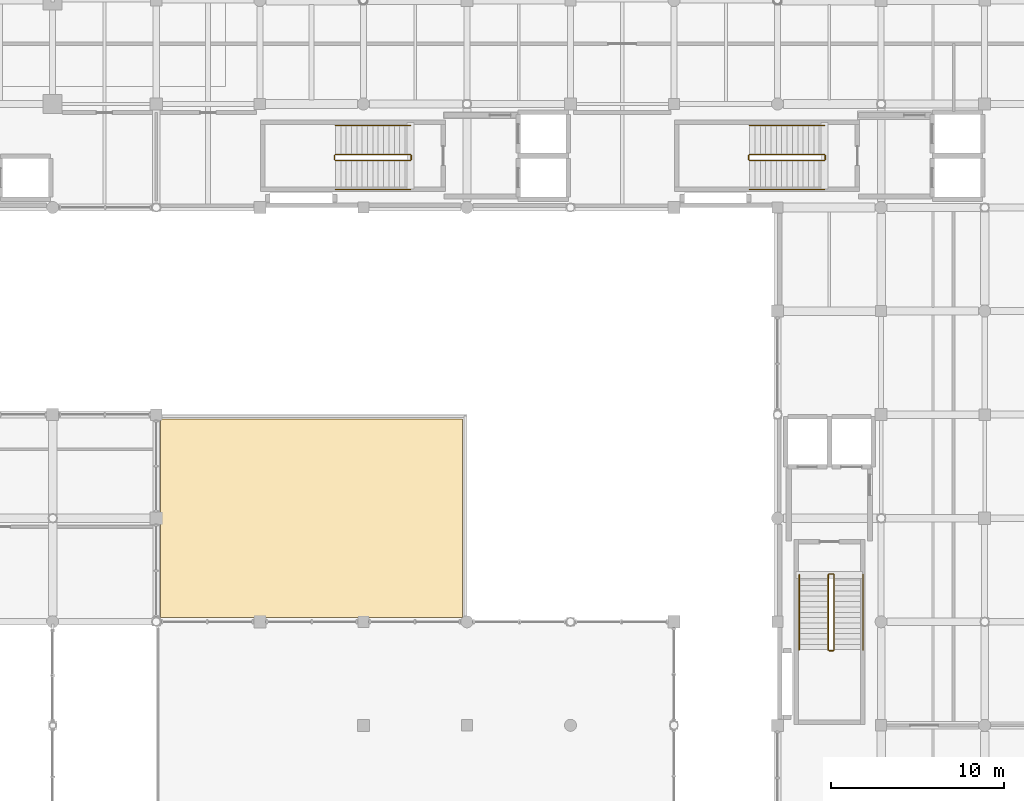
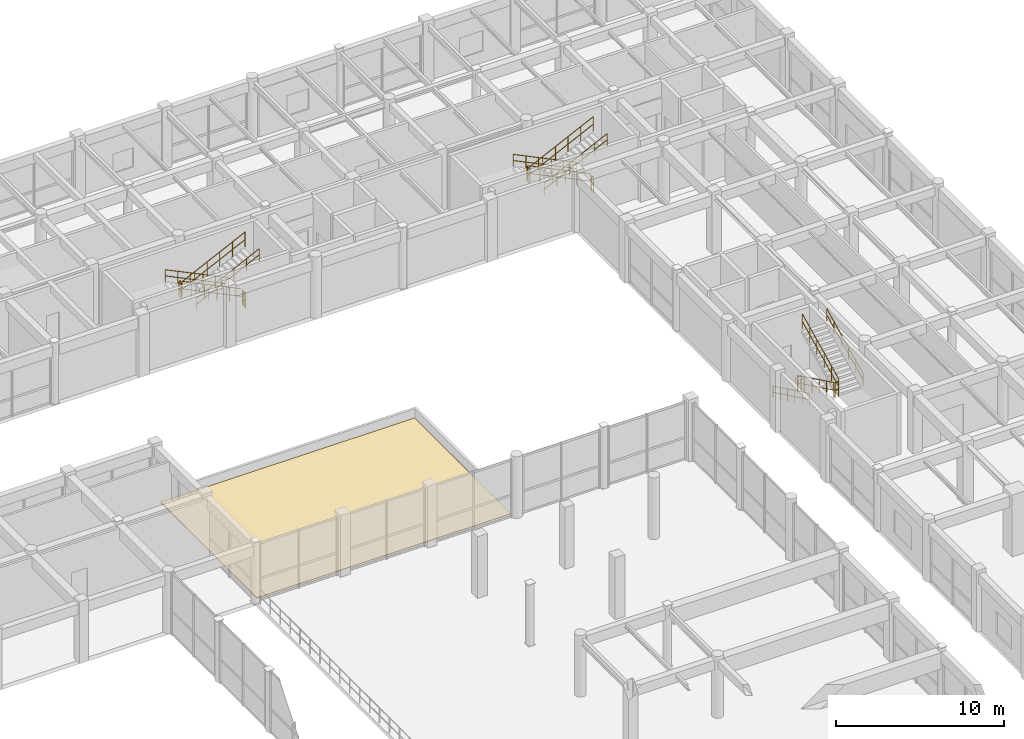
# One storey, part 116 of 116: 18 railings, 1 covering.
"""IFC4 building model written with IfcOpenShell, lengths in metres."""

from ifc_helpers import new_model, si_unit, direction, frame, origin, origin_2d, place, context, subcontext, project, spatial, polyline, circle, outline, extrude, material, layer, layer_set, type_object, element, save


model = new_model("IFC4")

# Units and contexts
model_context = context("Model", 3, precision=1e-05, world=origin(), true_north=direction((0.0, 1.0)))
body_context = subcontext(model_context, "Body", "Model", "MODEL_VIEW")
ifc_project = project(units=[si_unit("LENGTHUNIT", "METRE"), si_unit("AREAUNIT", "SQUARE_METRE"), si_unit("VOLUMEUNIT", "CUBIC_METRE"), si_unit("PLANEANGLEUNIT", "RADIAN"), si_unit("MASSUNIT", "GRAM", prefix="KILO"), si_unit("THERMODYNAMICTEMPERATUREUNIT", "KELVIN"), si_unit("POWERUNIT", "WATT")], contexts=[model_context])

# Site, building, storey
site_placement = place(None, origin())
site = spatial("IfcSite", under=ifc_project, at=site_placement, CompositionType="ELEMENT")
building_placement = place(site_placement, origin())
building = spatial("IfcBuilding", under=site, at=building_placement, Name="Phaisarnlok Congress Hotel", CompositionType="ELEMENT")
storey_placement = place(building_placement, frame((0.0, 0.0, 10.5)))
storey = spatial("IfcBuildingStorey", under=building, at=storey_placement, Name="L02", CompositionType="ELEMENT", Elevation=10.5)

# Covering
ifc_material_1 = material(Name="TPO Waterproofing Membrane & Rigid PIR Insulation", Category="other")
ifc_layer = layer(ifc_material_1, 0.050048828125, Name="TPO Waterproofing Membrane & Rigid PIR Insulation")
ifc_layer_set = layer_set([ifc_layer], Name="TPO Waterproofing Membrane & Rigid PIR Insulation")
covering_type = type_object("IfcCoveringType", Name="COV-ROOF-MEMB", PredefinedType="ROOFING", material=ifc_layer_set)
covering_placement = place(storey_placement, origin())
element("IfcCovering", 1, at=covering_placement, inside=storey, type_object=covering_type, Name="Podium roof waterproofing membrane RF-01 (L02 pod_press_ne)", PredefinedType="ROOFING", context=body_context, shape_type="SweptSolid", body=[
    extrude(outline(polyline([(126.25, 84.25), (143.75, 84.25), (143.75, 95.75), (126.25, 95.75), (126.25, 84.25)])), origin(), (0.0, 0.0, 1.0), 0.050048828125),
])

# Railings
ifc_material_2 = material(Name="Painted Galvanised Steel S275", Category="steel")
railing_type_1 = type_object("IfcRailingType", Name="RLG-STR-GUARD", PredefinedType="BALUSTRADE", material=ifc_material_2)
railing_1_placement = place(storey_placement, frame((164.719970703125, 111.070068359375, 0.14990234375)))
element("IfcRailing", 2, at=railing_1_placement, inside=storey, type_object=railing_type_1, Name="L02 ST-05 stair guard 1", PredefinedType="BALUSTRADE", context=body_context, shape_type="SweptSolid", body=[
    extrude(circle(Radius=0.02392578125, at=origin_2d()), frame((0.0, 0.0, 1.076171875), z_axis=(-0.900154768424, 0.0, 0.435570192832), x_axis=(0.0, -1.0, 0.0)), (0.0, 0.0, 1.0), 4.821533203125),
    extrude(circle(Radius=0.02392578125, at=origin_2d()), frame((0.0, 0.0, 0.52587890625), z_axis=(-0.900154768424, 0.0, 0.435570192832), x_axis=(0.0, -1.0, 0.0)), (0.0, 0.0, 1.0), 4.821533203125),
    extrude(circle(Radius=0.02099609375, at=origin_2d()), origin(), (0.0, 0.0, 1.0), 1.052001953125),
    extrude(circle(Radius=0.02099609375, at=origin_2d()), frame((-0.867919921875, 0.0, 0.419921875)), (0.0, 0.0, 1.0), 1.052001953125),
    extrude(circle(Radius=0.02099609375, at=origin_2d()), frame((-1.736083984375, 0.0, 0.840087890625)), (0.0, 0.0, 1.0), 1.052001953125),
    extrude(circle(Radius=0.02099609375, at=origin_2d()), frame((-2.60400390625, 0.0, 1.260009765625)), (0.0, 0.0, 1.0), 1.052001953125),
    extrude(circle(Radius=0.02099609375, at=origin_2d()), frame((-3.47216796875, 0.0, 1.68017578125)), (0.0, 0.0, 1.0), 1.052001953125),
    extrude(circle(Radius=0.02099609375, at=origin_2d()), frame((-4.340087890625, 0.0, 2.10009765625)), (0.0, 0.0, 1.0), 1.052001953125),
])
railing_2_placement = place(storey_placement, frame((160.330078125, 111.02001953125, 2.25)))
element("IfcRailing", 3, at=railing_2_placement, inside=storey, type_object=railing_type_1, Name="L02 ST-05 stair guard 2", PredefinedType="BALUSTRADE", context=body_context, shape_type="SweptSolid", body=[
    extrude(circle(Radius=0.02392578125, at=origin_2d()), frame((0.0, 0.0, 1.076171875), z_axis=(0.0, -1.0, 0.0), x_axis=(1.0, 0.0, 0.0)), (0.0, 0.0, 1.0), 0.239990234375),
    extrude(circle(Radius=0.02392578125, at=origin_2d()), frame((0.0, 0.0, 0.52587890625), z_axis=(0.0, -1.0, 0.0), x_axis=(1.0, 0.0, 0.0)), (0.0, 0.0, 1.0), 0.239990234375),
    extrude(circle(Radius=0.02099609375, at=origin_2d()), origin(), (0.0, 0.0, 1.0), 1.052001953125),
    extrude(circle(Radius=0.02099609375, at=origin_2d()), frame((0.0, -0.239990234375, 0.0)), (0.0, 0.0, 1.0), 1.052001953125),
])
railing_3_placement = place(storey_placement, frame((160.3798828125, 110.72998046875, 2.39990234375)))
element("IfcRailing", 4, at=railing_3_placement, inside=storey, type_object=railing_type_1, Name="L02 ST-05 stair guard 3", PredefinedType="BALUSTRADE", context=body_context, shape_type="SweptSolid", body=[
    extrude(circle(Radius=0.02392578125, at=origin_2d()), frame((0.0, 0.0, 1.076171875), z_axis=(0.900154768424, 0.0, 0.435570192832), x_axis=(0.0, 1.0, 0.0)), (0.0, 0.0, 1.0), 4.821533203125),
    extrude(circle(Radius=0.02392578125, at=origin_2d()), frame((0.0, 0.0, 0.52587890625), z_axis=(0.900154768424, 0.0, 0.435570192832), x_axis=(0.0, 1.0, 0.0)), (0.0, 0.0, 1.0), 4.821533203125),
    extrude(circle(Radius=0.02099609375, at=origin_2d()), origin(), (0.0, 0.0, 1.0), 1.052001953125),
    extrude(circle(Radius=0.02099609375, at=origin_2d()), frame((0.867919921875, 0.0, 0.419921875)), (0.0, 0.0, 1.0), 1.052001953125),
    extrude(circle(Radius=0.02099609375, at=origin_2d()), frame((1.736083984375, 0.0, 0.840087890625)), (0.0, 0.0, 1.0), 1.052001953125),
    extrude(circle(Radius=0.02099609375, at=origin_2d()), frame((2.60400390625, 0.0, 1.260009765625)), (0.0, 0.0, 1.0), 1.052001953125),
    extrude(circle(Radius=0.02099609375, at=origin_2d()), frame((3.47216796875, 0.0, 1.68017578125)), (0.0, 0.0, 1.0), 1.052001953125),
    extrude(circle(Radius=0.02099609375, at=origin_2d()), frame((4.340087890625, 0.0, 2.10009765625)), (0.0, 0.0, 1.0), 1.052001953125),
])
railing_4_placement = place(storey_placement, frame((164.77001953125, 111.02001953125, 0.0)))
element("IfcRailing", 5, at=railing_4_placement, inside=storey, type_object=railing_type_1, Name="L02 ST-05 stair guard 4", PredefinedType="BALUSTRADE", context=body_context, shape_type="SweptSolid", body=[
    extrude(circle(Radius=0.02392578125, at=origin_2d()), frame((0.0, 0.0, 1.076171875), z_axis=(0.0, -1.0, 0.0), x_axis=(1.0, 0.0, 0.0)), (0.0, 0.0, 1.0), 0.239990234375),
    extrude(circle(Radius=0.02392578125, at=origin_2d()), frame((0.0, 0.0, 0.52587890625), z_axis=(0.0, -1.0, 0.0), x_axis=(1.0, 0.0, 0.0)), (0.0, 0.0, 1.0), 0.239990234375),
    extrude(circle(Radius=0.02099609375, at=origin_2d()), origin(), (0.0, 0.0, 1.0), 1.052001953125),
    extrude(circle(Radius=0.02099609375, at=origin_2d()), frame((0.0, -0.239990234375, 0.0)), (0.0, 0.0, 1.0), 1.052001953125),
])
railing_5_placement = place(storey_placement, frame((140.719970703125, 111.070068359375, 0.14990234375)))
element("IfcRailing", 6, at=railing_5_placement, inside=storey, type_object=railing_type_1, Name="L02 ST-06 stair guard 1", PredefinedType="BALUSTRADE", context=body_context, shape_type="SweptSolid", body=[
    extrude(circle(Radius=0.02392578125, at=origin_2d()), frame((0.0, 0.0, 1.076171875), z_axis=(-0.900154768424, 0.0, 0.435570192832), x_axis=(0.0, -1.0, 0.0)), (0.0, 0.0, 1.0), 4.821533203125),
    extrude(circle(Radius=0.02392578125, at=origin_2d()), frame((0.0, 0.0, 0.52587890625), z_axis=(-0.900154768424, 0.0, 0.435570192832), x_axis=(0.0, -1.0, 0.0)), (0.0, 0.0, 1.0), 4.821533203125),
    extrude(circle(Radius=0.02099609375, at=origin_2d()), origin(), (0.0, 0.0, 1.0), 1.052001953125),
    extrude(circle(Radius=0.02099609375, at=origin_2d()), frame((-0.867919921875, 0.0, 0.419921875)), (0.0, 0.0, 1.0), 1.052001953125),
    extrude(circle(Radius=0.02099609375, at=origin_2d()), frame((-1.736083984375, 0.0, 0.840087890625)), (0.0, 0.0, 1.0), 1.052001953125),
    extrude(circle(Radius=0.02099609375, at=origin_2d()), frame((-2.60400390625, 0.0, 1.260009765625)), (0.0, 0.0, 1.0), 1.052001953125),
    extrude(circle(Radius=0.02099609375, at=origin_2d()), frame((-3.47216796875, 0.0, 1.68017578125)), (0.0, 0.0, 1.0), 1.052001953125),
    extrude(circle(Radius=0.02099609375, at=origin_2d()), frame((-4.340087890625, 0.0, 2.10009765625)), (0.0, 0.0, 1.0), 1.052001953125),
])
railing_6_placement = place(storey_placement, frame((136.330078125, 111.02001953125, 2.25)))
element("IfcRailing", 7, at=railing_6_placement, inside=storey, type_object=railing_type_1, Name="L02 ST-06 stair guard 2", PredefinedType="BALUSTRADE", context=body_context, shape_type="SweptSolid", body=[
    extrude(circle(Radius=0.02392578125, at=origin_2d()), frame((0.0, 0.0, 1.076171875), z_axis=(0.0, -1.0, 0.0), x_axis=(1.0, 0.0, 0.0)), (0.0, 0.0, 1.0), 0.239990234375),
    extrude(circle(Radius=0.02392578125, at=origin_2d()), frame((0.0, 0.0, 0.52587890625), z_axis=(0.0, -1.0, 0.0), x_axis=(1.0, 0.0, 0.0)), (0.0, 0.0, 1.0), 0.239990234375),
    extrude(circle(Radius=0.02099609375, at=origin_2d()), origin(), (0.0, 0.0, 1.0), 1.052001953125),
    extrude(circle(Radius=0.02099609375, at=origin_2d()), frame((0.0, -0.239990234375, 0.0)), (0.0, 0.0, 1.0), 1.052001953125),
])
railing_7_placement = place(storey_placement, frame((136.3798828125, 110.72998046875, 2.39990234375)))
element("IfcRailing", 8, at=railing_7_placement, inside=storey, type_object=railing_type_1, Name="L02 ST-06 stair guard 3", PredefinedType="BALUSTRADE", context=body_context, shape_type="SweptSolid", body=[
    extrude(circle(Radius=0.02392578125, at=origin_2d()), frame((0.0, 0.0, 1.076171875), z_axis=(0.900154768424, 0.0, 0.435570192832), x_axis=(0.0, 1.0, 0.0)), (0.0, 0.0, 1.0), 4.821533203125),
    extrude(circle(Radius=0.02392578125, at=origin_2d()), frame((0.0, 0.0, 0.52587890625), z_axis=(0.900154768424, 0.0, 0.435570192832), x_axis=(0.0, 1.0, 0.0)), (0.0, 0.0, 1.0), 4.821533203125),
    extrude(circle(Radius=0.02099609375, at=origin_2d()), origin(), (0.0, 0.0, 1.0), 1.052001953125),
    extrude(circle(Radius=0.02099609375, at=origin_2d()), frame((0.867919921875, 0.0, 0.419921875)), (0.0, 0.0, 1.0), 1.052001953125),
    extrude(circle(Radius=0.02099609375, at=origin_2d()), frame((1.736083984375, 0.0, 0.840087890625)), (0.0, 0.0, 1.0), 1.052001953125),
    extrude(circle(Radius=0.02099609375, at=origin_2d()), frame((2.60400390625, 0.0, 1.260009765625)), (0.0, 0.0, 1.0), 1.052001953125),
    extrude(circle(Radius=0.02099609375, at=origin_2d()), frame((3.47216796875, 0.0, 1.68017578125)), (0.0, 0.0, 1.0), 1.052001953125),
    extrude(circle(Radius=0.02099609375, at=origin_2d()), frame((4.340087890625, 0.0, 2.10009765625)), (0.0, 0.0, 1.0), 1.052001953125),
])
railing_8_placement = place(storey_placement, frame((140.77001953125, 111.02001953125, 0.0)))
element("IfcRailing", 9, at=railing_8_placement, inside=storey, type_object=railing_type_1, Name="L02 ST-06 stair guard 4", PredefinedType="BALUSTRADE", context=body_context, shape_type="SweptSolid", body=[
    extrude(circle(Radius=0.02392578125, at=origin_2d()), frame((0.0, 0.0, 1.076171875), z_axis=(0.0, -1.0, 0.0), x_axis=(1.0, 0.0, 0.0)), (0.0, 0.0, 1.0), 0.239990234375),
    extrude(circle(Radius=0.02392578125, at=origin_2d()), frame((0.0, 0.0, 0.52587890625), z_axis=(0.0, -1.0, 0.0), x_axis=(1.0, 0.0, 0.0)), (0.0, 0.0, 1.0), 0.239990234375),
    extrude(circle(Radius=0.02099609375, at=origin_2d()), origin(), (0.0, 0.0, 1.0), 1.052001953125),
    extrude(circle(Radius=0.02099609375, at=origin_2d()), frame((0.0, -0.239990234375, 0.0)), (0.0, 0.0, 1.0), 1.052001953125),
])
railing_9_placement = place(storey_placement, frame((164.929931640625, 86.719970703125, 0.14990234375)))
element("IfcRailing", 10, at=railing_9_placement, inside=storey, type_object=railing_type_1, Name="L02 ST-09 stair guard 1", PredefinedType="BALUSTRADE", context=body_context, shape_type="SweptSolid", body=[
    extrude(circle(Radius=0.02392578125, at=origin_2d()), frame((0.0, 0.0, 1.076171875), z_axis=(0.0, -0.900154768424, 0.435570192832), x_axis=(1.0, 0.0, 0.0)), (0.0, 0.0, 1.0), 4.821533203125),
    extrude(circle(Radius=0.02392578125, at=origin_2d()), frame((0.0, 0.0, 0.52587890625), z_axis=(0.0, -0.900154768424, 0.435570192832), x_axis=(1.0, 0.0, 0.0)), (0.0, 0.0, 1.0), 4.821533203125),
    extrude(circle(Radius=0.02099609375, at=origin_2d()), origin(), (0.0, 0.0, 1.0), 1.052001953125),
    extrude(circle(Radius=0.02099609375, at=origin_2d()), frame((0.0, -0.867919921875, 0.419921875)), (0.0, 0.0, 1.0), 1.052001953125),
    extrude(circle(Radius=0.02099609375, at=origin_2d()), frame((0.0, -1.736083984375, 0.840087890625)), (0.0, 0.0, 1.0), 1.052001953125),
    extrude(circle(Radius=0.02099609375, at=origin_2d()), frame((0.0, -2.60400390625, 1.260009765625)), (0.0, 0.0, 1.0), 1.052001953125),
    extrude(circle(Radius=0.02099609375, at=origin_2d()), frame((0.0, -3.47216796875, 1.68017578125)), (0.0, 0.0, 1.0), 1.052001953125),
    extrude(circle(Radius=0.02099609375, at=origin_2d()), frame((0.0, -4.340087890625, 2.10009765625)), (0.0, 0.0, 1.0), 1.052001953125),
])
railing_10_placement = place(storey_placement, frame((164.97998046875, 82.330078125, 2.25)))
element("IfcRailing", 11, at=railing_10_placement, inside=storey, type_object=railing_type_1, Name="L02 ST-09 stair guard 2", PredefinedType="BALUSTRADE", context=body_context, shape_type="SweptSolid", body=[
    extrude(circle(Radius=0.02392578125, at=origin_2d()), frame((0.0, 0.0, 1.076171875), z_axis=(1.0, 0.0, 0.0), x_axis=(0.0, 1.0, 0.0)), (0.0, 0.0, 1.0), 0.239990234375),
    extrude(circle(Radius=0.02392578125, at=origin_2d()), frame((0.0, 0.0, 0.52587890625), z_axis=(1.0, 0.0, 0.0), x_axis=(0.0, 1.0, 0.0)), (0.0, 0.0, 1.0), 0.239990234375),
    extrude(circle(Radius=0.02099609375, at=origin_2d()), origin(), (0.0, 0.0, 1.0), 1.052001953125),
    extrude(circle(Radius=0.02099609375, at=origin_2d()), frame((0.239990234375, 0.0, 0.0)), (0.0, 0.0, 1.0), 1.052001953125),
])
railing_11_placement = place(storey_placement, frame((165.27001953125, 82.3798828125, 2.39990234375)))
element("IfcRailing", 12, at=railing_11_placement, inside=storey, type_object=railing_type_1, Name="L02 ST-09 stair guard 3", PredefinedType="BALUSTRADE", context=body_context, shape_type="SweptSolid", body=[
    extrude(circle(Radius=0.02392578125, at=origin_2d()), frame((0.0, 0.0, 1.076171875), z_axis=(0.0, 0.900154768424, 0.435570192832), x_axis=(-1.0, 0.0, 0.0)), (0.0, 0.0, 1.0), 4.821533203125),
    extrude(circle(Radius=0.02392578125, at=origin_2d()), frame((0.0, 0.0, 0.52587890625), z_axis=(0.0, 0.900154768424, 0.435570192832), x_axis=(-1.0, 0.0, 0.0)), (0.0, 0.0, 1.0), 4.821533203125),
    extrude(circle(Radius=0.02099609375, at=origin_2d()), origin(), (0.0, 0.0, 1.0), 1.052001953125),
    extrude(circle(Radius=0.02099609375, at=origin_2d()), frame((0.0, 0.867919921875, 0.419921875)), (0.0, 0.0, 1.0), 1.052001953125),
    extrude(circle(Radius=0.02099609375, at=origin_2d()), frame((0.0, 1.736083984375, 0.840087890625)), (0.0, 0.0, 1.0), 1.052001953125),
    extrude(circle(Radius=0.02099609375, at=origin_2d()), frame((0.0, 2.60400390625, 1.260009765625)), (0.0, 0.0, 1.0), 1.052001953125),
    extrude(circle(Radius=0.02099609375, at=origin_2d()), frame((0.0, 3.47216796875, 1.68017578125)), (0.0, 0.0, 1.0), 1.052001953125),
    extrude(circle(Radius=0.02099609375, at=origin_2d()), frame((0.0, 4.340087890625, 2.10009765625)), (0.0, 0.0, 1.0), 1.052001953125),
])
railing_12_placement = place(storey_placement, frame((164.97998046875, 86.77001953125, 0.0)))
element("IfcRailing", 13, at=railing_12_placement, inside=storey, type_object=railing_type_1, Name="L02 ST-09 stair guard 4", PredefinedType="BALUSTRADE", context=body_context, shape_type="SweptSolid", body=[
    extrude(circle(Radius=0.02392578125, at=origin_2d()), frame((0.0, 0.0, 1.076171875), z_axis=(1.0, 0.0, 0.0), x_axis=(0.0, 1.0, 0.0)), (0.0, 0.0, 1.0), 0.239990234375),
    extrude(circle(Radius=0.02392578125, at=origin_2d()), frame((0.0, 0.0, 0.52587890625), z_axis=(1.0, 0.0, 0.0), x_axis=(0.0, 1.0, 0.0)), (0.0, 0.0, 1.0), 0.239990234375),
    extrude(circle(Radius=0.02099609375, at=origin_2d()), origin(), (0.0, 0.0, 1.0), 1.052001953125),
    extrude(circle(Radius=0.02099609375, at=origin_2d()), frame((0.239990234375, 0.0, 0.0)), (0.0, 0.0, 1.0), 1.052001953125),
])
ifc_material_3 = material(Name="Brushed Stainless Steel Grade 304", Category="steel")
railing_type_2 = type_object("IfcRailingType", Name="RLG-STR-HRAIL", PredefinedType="HANDRAIL", material=ifc_material_3)
railing_13_placement = place(storey_placement, frame((164.719970703125, 112.75, 0.14990234375)))
element("IfcRailing", 14, at=railing_13_placement, inside=storey, type_object=railing_type_2, Name="L02 ST-05 stair handrail 1", PredefinedType="HANDRAIL", context=body_context, shape_type="SweptSolid", body=[
    extrude(circle(Radius=0.02392578125, at=origin_2d()), frame((0.0, 0.0, 0.8759765625), z_axis=(-0.900154768424, 0.0, 0.435570192832), x_axis=(0.0, -1.0, 0.0)), (0.0, 0.0, 1.0), 4.821533203125),
    extrude(circle(Radius=0.02392578125, at=origin_2d()), frame((0.0, 0.0, 0.42578125), z_axis=(-0.900154768424, 0.0, 0.435570192832), x_axis=(0.0, -1.0, 0.0)), (0.0, 0.0, 1.0), 4.821533203125),
    extrude(circle(Radius=0.02099609375, at=origin_2d()), origin(), (0.0, 0.0, 1.0), 0.851806640625),
    extrude(circle(Radius=0.02099609375, at=origin_2d()), frame((-0.867919921875, 0.0, 0.419921875)), (0.0, 0.0, 1.0), 0.851806640625),
    extrude(circle(Radius=0.02099609375, at=origin_2d()), frame((-1.736083984375, 0.0, 0.840087890625)), (0.0, 0.0, 1.0), 0.851806640625),
    extrude(circle(Radius=0.02099609375, at=origin_2d()), frame((-2.60400390625, 0.0, 1.260009765625)), (0.0, 0.0, 1.0), 0.851806640625),
    extrude(circle(Radius=0.02099609375, at=origin_2d()), frame((-3.47216796875, 0.0, 1.68017578125)), (0.0, 0.0, 1.0), 0.851806640625),
    extrude(circle(Radius=0.02099609375, at=origin_2d()), frame((-4.340087890625, 0.0, 2.10009765625)), (0.0, 0.0, 1.0), 0.851806640625),
])
railing_14_placement = place(storey_placement, frame((160.3798828125, 109.050048828125, 2.39990234375)))
element("IfcRailing", 15, at=railing_14_placement, inside=storey, type_object=railing_type_2, Name="L02 ST-05 stair handrail 2", PredefinedType="HANDRAIL", context=body_context, shape_type="SweptSolid", body=[
    extrude(circle(Radius=0.02392578125, at=origin_2d()), frame((0.0, 0.0, 0.8759765625), z_axis=(0.900154768424, 0.0, 0.435570192832), x_axis=(0.0, 1.0, 0.0)), (0.0, 0.0, 1.0), 4.821533203125),
    extrude(circle(Radius=0.02392578125, at=origin_2d()), frame((0.0, 0.0, 0.42578125), z_axis=(0.900154768424, 0.0, 0.435570192832), x_axis=(0.0, 1.0, 0.0)), (0.0, 0.0, 1.0), 4.821533203125),
    extrude(circle(Radius=0.02099609375, at=origin_2d()), origin(), (0.0, 0.0, 1.0), 0.851806640625),
    extrude(circle(Radius=0.02099609375, at=origin_2d()), frame((0.867919921875, 0.0, 0.419921875)), (0.0, 0.0, 1.0), 0.851806640625),
    extrude(circle(Radius=0.02099609375, at=origin_2d()), frame((1.736083984375, 0.0, 0.840087890625)), (0.0, 0.0, 1.0), 0.851806640625),
    extrude(circle(Radius=0.02099609375, at=origin_2d()), frame((2.60400390625, 0.0, 1.260009765625)), (0.0, 0.0, 1.0), 0.851806640625),
    extrude(circle(Radius=0.02099609375, at=origin_2d()), frame((3.47216796875, 0.0, 1.68017578125)), (0.0, 0.0, 1.0), 0.851806640625),
    extrude(circle(Radius=0.02099609375, at=origin_2d()), frame((4.340087890625, 0.0, 2.10009765625)), (0.0, 0.0, 1.0), 0.851806640625),
])
railing_15_placement = place(storey_placement, frame((140.719970703125, 112.75, 0.14990234375)))
element("IfcRailing", 16, at=railing_15_placement, inside=storey, type_object=railing_type_2, Name="L02 ST-06 stair handrail 1", PredefinedType="HANDRAIL", context=body_context, shape_type="SweptSolid", body=[
    extrude(circle(Radius=0.02392578125, at=origin_2d()), frame((0.0, 0.0, 0.8759765625), z_axis=(-0.900154768424, 0.0, 0.435570192832), x_axis=(0.0, -1.0, 0.0)), (0.0, 0.0, 1.0), 4.821533203125),
    extrude(circle(Radius=0.02392578125, at=origin_2d()), frame((0.0, 0.0, 0.42578125), z_axis=(-0.900154768424, 0.0, 0.435570192832), x_axis=(0.0, -1.0, 0.0)), (0.0, 0.0, 1.0), 4.821533203125),
    extrude(circle(Radius=0.02099609375, at=origin_2d()), origin(), (0.0, 0.0, 1.0), 0.851806640625),
    extrude(circle(Radius=0.02099609375, at=origin_2d()), frame((-0.867919921875, 0.0, 0.419921875)), (0.0, 0.0, 1.0), 0.851806640625),
    extrude(circle(Radius=0.02099609375, at=origin_2d()), frame((-1.736083984375, 0.0, 0.840087890625)), (0.0, 0.0, 1.0), 0.851806640625),
    extrude(circle(Radius=0.02099609375, at=origin_2d()), frame((-2.60400390625, 0.0, 1.260009765625)), (0.0, 0.0, 1.0), 0.851806640625),
    extrude(circle(Radius=0.02099609375, at=origin_2d()), frame((-3.47216796875, 0.0, 1.68017578125)), (0.0, 0.0, 1.0), 0.851806640625),
    extrude(circle(Radius=0.02099609375, at=origin_2d()), frame((-4.340087890625, 0.0, 2.10009765625)), (0.0, 0.0, 1.0), 0.851806640625),
])
railing_16_placement = place(storey_placement, frame((136.3798828125, 109.050048828125, 2.39990234375)))
element("IfcRailing", 17, at=railing_16_placement, inside=storey, type_object=railing_type_2, Name="L02 ST-06 stair handrail 2", PredefinedType="HANDRAIL", context=body_context, shape_type="SweptSolid", body=[
    extrude(circle(Radius=0.02392578125, at=origin_2d()), frame((0.0, 0.0, 0.8759765625), z_axis=(0.900154768424, 0.0, 0.435570192832), x_axis=(0.0, 1.0, 0.0)), (0.0, 0.0, 1.0), 4.821533203125),
    extrude(circle(Radius=0.02392578125, at=origin_2d()), frame((0.0, 0.0, 0.42578125), z_axis=(0.900154768424, 0.0, 0.435570192832), x_axis=(0.0, 1.0, 0.0)), (0.0, 0.0, 1.0), 4.821533203125),
    extrude(circle(Radius=0.02099609375, at=origin_2d()), origin(), (0.0, 0.0, 1.0), 0.851806640625),
    extrude(circle(Radius=0.02099609375, at=origin_2d()), frame((0.867919921875, 0.0, 0.419921875)), (0.0, 0.0, 1.0), 0.851806640625),
    extrude(circle(Radius=0.02099609375, at=origin_2d()), frame((1.736083984375, 0.0, 0.840087890625)), (0.0, 0.0, 1.0), 0.851806640625),
    extrude(circle(Radius=0.02099609375, at=origin_2d()), frame((2.60400390625, 0.0, 1.260009765625)), (0.0, 0.0, 1.0), 0.851806640625),
    extrude(circle(Radius=0.02099609375, at=origin_2d()), frame((3.47216796875, 0.0, 1.68017578125)), (0.0, 0.0, 1.0), 0.851806640625),
    extrude(circle(Radius=0.02099609375, at=origin_2d()), frame((4.340087890625, 0.0, 2.10009765625)), (0.0, 0.0, 1.0), 0.851806640625),
])
railing_17_placement = place(storey_placement, frame((163.25, 86.719970703125, 0.14990234375)))
element("IfcRailing", 18, at=railing_17_placement, inside=storey, type_object=railing_type_2, Name="L02 ST-09 stair handrail 1", PredefinedType="HANDRAIL", context=body_context, shape_type="SweptSolid", body=[
    extrude(circle(Radius=0.02392578125, at=origin_2d()), frame((0.0, 0.0, 0.8759765625), z_axis=(0.0, -0.900154768424, 0.435570192832), x_axis=(1.0, 0.0, 0.0)), (0.0, 0.0, 1.0), 4.821533203125),
    extrude(circle(Radius=0.02392578125, at=origin_2d()), frame((0.0, 0.0, 0.42578125), z_axis=(0.0, -0.900154768424, 0.435570192832), x_axis=(1.0, 0.0, 0.0)), (0.0, 0.0, 1.0), 4.821533203125),
    extrude(circle(Radius=0.02099609375, at=origin_2d()), origin(), (0.0, 0.0, 1.0), 0.851806640625),
    extrude(circle(Radius=0.02099609375, at=origin_2d()), frame((0.0, -0.867919921875, 0.419921875)), (0.0, 0.0, 1.0), 0.851806640625),
    extrude(circle(Radius=0.02099609375, at=origin_2d()), frame((0.0, -1.736083984375, 0.840087890625)), (0.0, 0.0, 1.0), 0.851806640625),
    extrude(circle(Radius=0.02099609375, at=origin_2d()), frame((0.0, -2.60400390625, 1.260009765625)), (0.0, 0.0, 1.0), 0.851806640625),
    extrude(circle(Radius=0.02099609375, at=origin_2d()), frame((0.0, -3.47216796875, 1.68017578125)), (0.0, 0.0, 1.0), 0.851806640625),
    extrude(circle(Radius=0.02099609375, at=origin_2d()), frame((0.0, -4.340087890625, 2.10009765625)), (0.0, 0.0, 1.0), 0.851806640625),
])
railing_18_placement = place(storey_placement, frame((166.949951171875, 82.3798828125, 2.39990234375)))
element("IfcRailing", 19, at=railing_18_placement, inside=storey, type_object=railing_type_2, Name="L02 ST-09 stair handrail 2", PredefinedType="HANDRAIL", context=body_context, shape_type="SweptSolid", body=[
    extrude(circle(Radius=0.02392578125, at=origin_2d()), frame((0.0, 0.0, 0.8759765625), z_axis=(0.0, 0.900154768424, 0.435570192832), x_axis=(-1.0, 0.0, 0.0)), (0.0, 0.0, 1.0), 4.821533203125),
    extrude(circle(Radius=0.02392578125, at=origin_2d()), frame((0.0, 0.0, 0.42578125), z_axis=(0.0, 0.900154768424, 0.435570192832), x_axis=(-1.0, 0.0, 0.0)), (0.0, 0.0, 1.0), 4.821533203125),
    extrude(circle(Radius=0.02099609375, at=origin_2d()), origin(), (0.0, 0.0, 1.0), 0.851806640625),
    extrude(circle(Radius=0.02099609375, at=origin_2d()), frame((0.0, 0.867919921875, 0.419921875)), (0.0, 0.0, 1.0), 0.851806640625),
    extrude(circle(Radius=0.02099609375, at=origin_2d()), frame((0.0, 1.736083984375, 0.840087890625)), (0.0, 0.0, 1.0), 0.851806640625),
    extrude(circle(Radius=0.02099609375, at=origin_2d()), frame((0.0, 2.60400390625, 1.260009765625)), (0.0, 0.0, 1.0), 0.851806640625),
    extrude(circle(Radius=0.02099609375, at=origin_2d()), frame((0.0, 3.47216796875, 1.68017578125)), (0.0, 0.0, 1.0), 0.851806640625),
    extrude(circle(Radius=0.02099609375, at=origin_2d()), frame((0.0, 4.340087890625, 2.10009765625)), (0.0, 0.0, 1.0), 0.851806640625),
])

save(model, "model.ifc")
